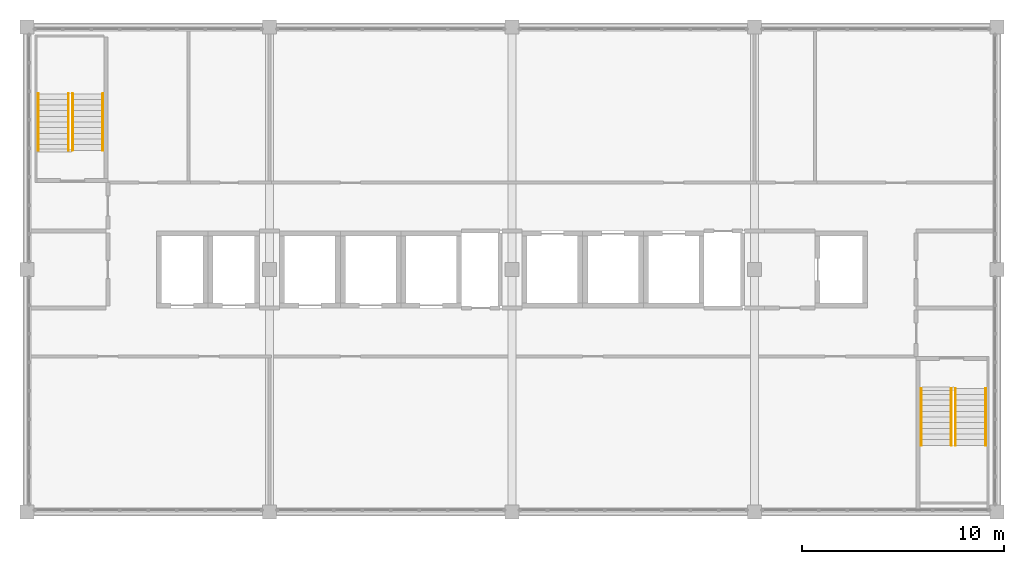
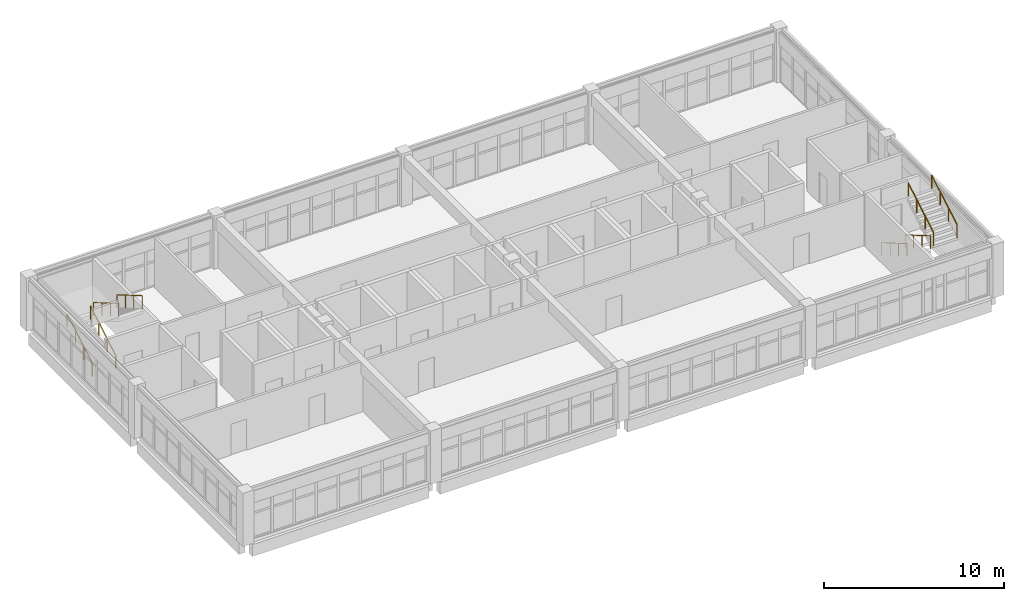
# One storey, part 16 of 16: 8 railings.
"""IFC4 building model written with IfcOpenShell, lengths in metres."""

from ifc_helpers import new_model, si_unit, direction, frame, origin, origin_2d, place, context, subcontext, project, spatial, circle, extrude, material, type_object, element, save


model = new_model("IFC4")

# Units and contexts
model_context = context("Model", 3, precision=1e-05, world=origin(), true_north=direction((0.0, 1.0)))
body_context = subcontext(model_context, "Body", "Model", "MODEL_VIEW")
ifc_project = project(units=[si_unit("LENGTHUNIT", "METRE"), si_unit("AREAUNIT", "SQUARE_METRE"), si_unit("VOLUMEUNIT", "CUBIC_METRE"), si_unit("PLANEANGLEUNIT", "RADIAN"), si_unit("MASSUNIT", "GRAM", prefix="KILO")], contexts=[model_context])

# Site, building, storey
site_placement = place(None, origin())
site = spatial("IfcSite", under=ifc_project, at=site_placement, CompositionType="ELEMENT")
building_placement = place(site_placement, origin())
building = spatial("IfcBuilding", under=site, at=building_placement, Name="Lilac Gate Convention Centre", CompositionType="ELEMENT")
storey_placement = place(building_placement, frame((0.0, 0.0, 67.800048828125)))
storey = spatial("IfcBuildingStorey", under=building, at=storey_placement, Name="L17", CompositionType="ELEMENT", Elevation=67.800048828125)

# Railings
ifc_material = material(Name="Stainless steel 304", Category="steel")
railing_type = type_object("IfcRailingType", Name="Stair handrail", PredefinedType="HANDRAIL", material=ifc_material)
for number, where, name in (
    (1, (42.550048828125, 239.89990234375, 0.16357421875), "Handrail NW L17 flight 1"),
    (2, (44.050048828125, 239.89990234375, 0.16357421875), "Handrail NW L17 flight 1"),
):
    element("IfcRailing", number, at=place(storey_placement, frame(where)), inside=storey, type_object=railing_type, Name=name, PredefinedType="HANDRAIL", context=body_context, shape_type="SweptSolid", body=[
        extrude(circle(Radius=0.02392578125, at=origin_2d()), frame((0.0, 0.0, 0.8759765625), z_axis=(0.0, 0.863360870873, 0.504586966384), x_axis=(-1.0, 0.0, 0.0)), (0.0, 0.0, 1.0), 3.2431640625),
        extrude(circle(Radius=0.02099609375, at=origin_2d()), origin(), (0.0, 0.0, 1.0), 0.851806640625),
        extrude(circle(Radius=0.02099609375, at=origin_2d()), frame((0.0, 0.933349609375, 0.54541015625)), (0.0, 0.0, 1.0), 0.851806640625),
        extrude(circle(Radius=0.02099609375, at=origin_2d()), frame((0.0, 1.86669921875, 1.091064453125)), (0.0, 0.0, 1.0), 0.851806640625),
        extrude(circle(Radius=0.02099609375, at=origin_2d()), frame((0.0, 2.800048828125, 1.636474609375)), (0.0, 0.0, 1.0), 0.851806640625),
    ])
for number, where, name in (
    (3, (45.75, 242.699951171875, 1.963623046875), "Handrail NW L17 flight 2"),
    (4, (44.25, 242.699951171875, 1.963623046875), "Handrail NW L17 flight 2"),
):
    element("IfcRailing", number, at=place(storey_placement, frame(where)), inside=storey, type_object=railing_type, Name=name, PredefinedType="HANDRAIL", context=body_context, shape_type="SweptSolid", body=[
        extrude(circle(Radius=0.02392578125, at=origin_2d()), frame((0.0, 0.0, 0.8759765625), z_axis=(0.0, -0.863393664356, 0.504530851732), x_axis=(1.0, 0.0, 0.0)), (0.0, 0.0, 1.0), 3.2431640625),
        extrude(circle(Radius=0.02099609375, at=origin_2d()), origin(), (0.0, 0.0, 1.0), 0.851806640625),
        extrude(circle(Radius=0.02099609375, at=origin_2d()), frame((0.0, -0.933349609375, 0.54541015625)), (0.0, 0.0, 1.0), 0.851806640625),
        extrude(circle(Radius=0.02099609375, at=origin_2d()), frame((0.0, -1.86669921875, 1.0908203125)), (0.0, 0.0, 1.0), 0.851806640625),
        extrude(circle(Radius=0.02099609375, at=origin_2d()), frame((0.0, -2.800048828125, 1.63623046875)), (0.0, 0.0, 1.0), 0.851806640625),
    ])
for number, where, name in (
    (5, (87.75, 228.10009765625, 0.16357421875), "Handrail SE L17 flight 1"),
    (6, (86.25, 228.10009765625, 0.16357421875), "Handrail SE L17 flight 1"),
):
    element("IfcRailing", number, at=place(storey_placement, frame(where)), inside=storey, type_object=railing_type, Name=name, PredefinedType="HANDRAIL", context=body_context, shape_type="SweptSolid", body=[
        extrude(circle(Radius=0.02392578125, at=origin_2d()), frame((0.0, 0.0, 0.8759765625), z_axis=(0.0, -0.863360870873, 0.504586966384), x_axis=(1.0, 0.0, 0.0)), (0.0, 0.0, 1.0), 3.2431640625),
        extrude(circle(Radius=0.02099609375, at=origin_2d()), origin(), (0.0, 0.0, 1.0), 0.851806640625),
        extrude(circle(Radius=0.02099609375, at=origin_2d()), frame((0.0, -0.933349609375, 0.54541015625)), (0.0, 0.0, 1.0), 0.851806640625),
        extrude(circle(Radius=0.02099609375, at=origin_2d()), frame((0.0, -1.86669921875, 1.091064453125)), (0.0, 0.0, 1.0), 0.851806640625),
        extrude(circle(Radius=0.02099609375, at=origin_2d()), frame((0.0, -2.800048828125, 1.636474609375)), (0.0, 0.0, 1.0), 0.851806640625),
    ])
for number, where, name in (
    (7, (87.949951171875, 225.300048828125, 1.963623046875), "Handrail SE L17 flight 2"),
    (8, (89.449951171875, 225.300048828125, 1.963623046875), "Handrail SE L17 flight 2"),
):
    element("IfcRailing", number, at=place(storey_placement, frame(where)), inside=storey, type_object=railing_type, Name=name, PredefinedType="HANDRAIL", context=body_context, shape_type="SweptSolid", body=[
        extrude(circle(Radius=0.02392578125, at=origin_2d()), frame((0.0, 0.0, 0.8759765625), z_axis=(0.0, 0.863393664356, 0.504530851732), x_axis=(-1.0, 0.0, 0.0)), (0.0, 0.0, 1.0), 3.2431640625),
        extrude(circle(Radius=0.02099609375, at=origin_2d()), origin(), (0.0, 0.0, 1.0), 0.851806640625),
        extrude(circle(Radius=0.02099609375, at=origin_2d()), frame((0.0, 0.933349609375, 0.54541015625)), (0.0, 0.0, 1.0), 0.851806640625),
        extrude(circle(Radius=0.02099609375, at=origin_2d()), frame((0.0, 1.86669921875, 1.0908203125)), (0.0, 0.0, 1.0), 0.851806640625),
        extrude(circle(Radius=0.02099609375, at=origin_2d()), frame((0.0, 2.800048828125, 1.63623046875)), (0.0, 0.0, 1.0), 0.851806640625),
    ])

save(model, "model.ifc")
